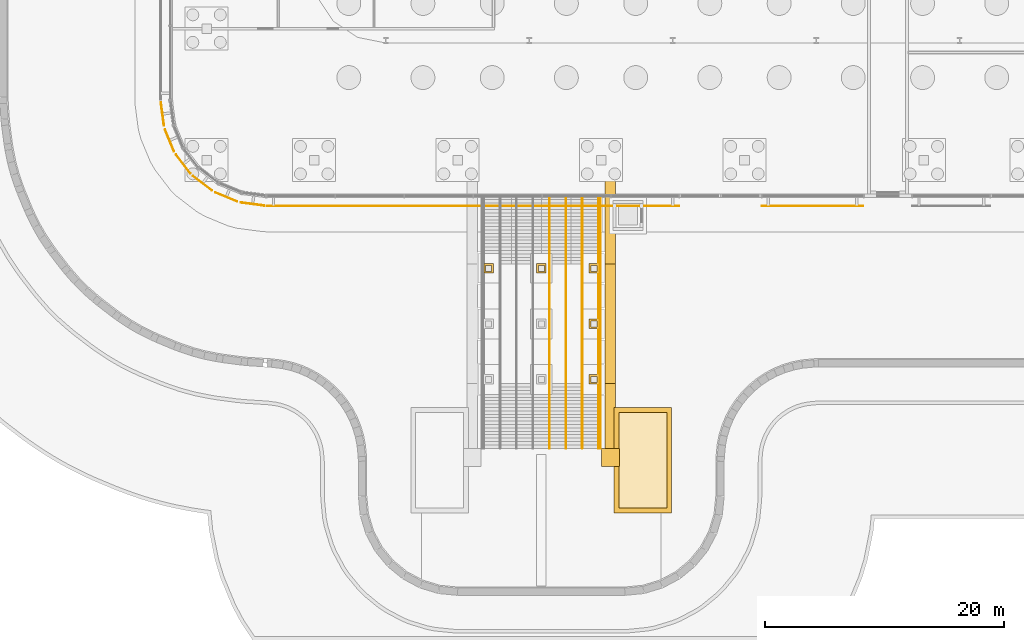
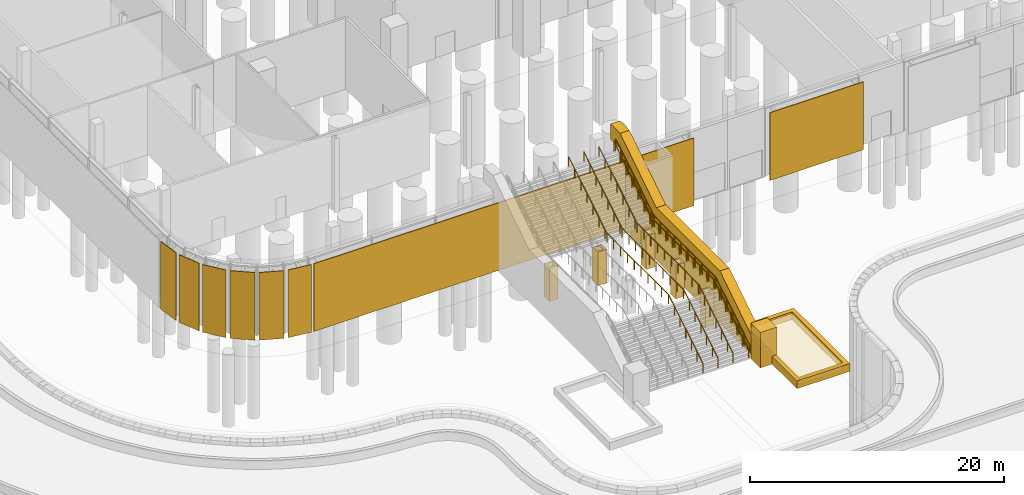
# One storey, part 37 of 48: 17 coverings, 5 railings, 1 element without a shape of its own.
"""IFC4 building model written with IfcOpenShell, lengths in metres."""

from ifc_helpers import new_model, si_unit, direction, frame, origin, origin_2d, place, context, subcontext, project, spatial, polyline, rectangle, circle, outline, extrude, material, layer, layer_set, type_object, element, aggregate, save


model = new_model("IFC4")

# Units and contexts
model_context = context("Model", 3, precision=1e-05, world=origin(), true_north=direction((0.0, 1.0)))
body_context = subcontext(model_context, "Body", "Model", "MODEL_VIEW")
ifc_project = project(units=[si_unit("LENGTHUNIT", "METRE"), si_unit("AREAUNIT", "SQUARE_METRE"), si_unit("VOLUMEUNIT", "CUBIC_METRE"), si_unit("PLANEANGLEUNIT", "RADIAN"), si_unit("MASSUNIT", "GRAM", prefix="KILO")], contexts=[model_context])

# Site, building, storey
site_placement = place(None, origin())
site = spatial("IfcSite", under=ifc_project, at=site_placement, CompositionType="ELEMENT")
building_placement = place(site_placement, origin())
building = spatial("IfcBuilding", under=site, at=building_placement, Name="Mahtab Terrace Research Tower", CompositionType="ELEMENT")
storey_placement = place(building_placement, origin())
storey = spatial("IfcBuildingStorey", under=building, at=storey_placement, Name="G", CompositionType="ELEMENT", Elevation=0.0)

# Coverings
ifc_material_1 = material(Name="Glazed ceramic tile cladding", Category="masonry")
ifc_layer_1 = layer(ifc_material_1, 0.14990234375)
ifc_layer_set_1 = layer_set([ifc_layer_1], Name="Column sleeve cladding 150")
covering_type_1 = type_object("IfcCoveringType", Name="Column sleeve cladding 150", PredefinedType="CLADDING", material=ifc_layer_set_1)
covering_1_placement = place(storey_placement, origin())
element("IfcCovering", 1, at=covering_1_placement, inside=storey, type_object=covering_type_1, Name="Column sleeve PS1-1-3", PredefinedType="CLADDING", context=body_context, shape_type="SweptSolid", body=[
    extrude(outline(polyline([(-33.800048828125, -42.449951171875), (-33.0, -42.449951171875), (-33.0, -41.64990234375), (-33.800048828125, -41.64990234375), (-33.800048828125, -42.449951171875)]), holes=[polyline([(-33.64990234375, -42.300048828125), (-33.14990234375, -42.300048828125), (-33.14990234375, -41.800048828125), (-33.64990234375, -41.800048828125), (-33.64990234375, -42.300048828125)])]), origin(), (0.0, 0.0, 1.0), 3.2119140625),
])
covering_2_placement = place(storey_placement, origin())
element("IfcCovering", 2, at=covering_2_placement, inside=storey, type_object=covering_type_1, Name="Column sleeve PS1-2-3", PredefinedType="CLADDING", context=body_context, shape_type="SweptSolid", body=[
    extrude(outline(polyline([(-29.39990234375, -42.449951171875), (-28.60009765625, -42.449951171875), (-28.60009765625, -41.64990234375), (-29.39990234375, -41.64990234375), (-29.39990234375, -42.449951171875)]), holes=[polyline([(-29.25, -42.300048828125), (-28.75, -42.300048828125), (-28.75, -41.800048828125), (-29.25, -41.800048828125), (-29.25, -42.300048828125)])]), origin(), (0.0, 0.0, 1.0), 3.2119140625),
])
covering_3_placement = place(storey_placement, origin())
element("IfcCovering", 3, at=covering_3_placement, inside=storey, type_object=covering_type_1, Name="Column sleeve PS1-3-1", PredefinedType="CLADDING", context=body_context, shape_type="SweptSolid", body=[
    extrude(outline(polyline([(-25.0, -51.75), (-24.199951171875, -51.75), (-24.199951171875, -50.949951171875), (-25.0, -50.949951171875), (-25.0, -51.75)]), holes=[polyline([(-24.85009765625, -51.60009765625), (-24.35009765625, -51.60009765625), (-24.35009765625, -51.10009765625), (-24.85009765625, -51.10009765625), (-24.85009765625, -51.60009765625)])]), origin(), (0.0, 0.0, 1.0), 3.2119140625),
])
covering_4_placement = place(storey_placement, origin())
element("IfcCovering", 4, at=covering_4_placement, inside=storey, type_object=covering_type_1, Name="Column sleeve PS1-3-2", PredefinedType="CLADDING", context=body_context, shape_type="SweptSolid", body=[
    extrude(outline(polyline([(-25.0, -47.10009765625), (-24.199951171875, -47.10009765625), (-24.199951171875, -46.300048828125), (-25.0, -46.300048828125), (-25.0, -47.10009765625)]), holes=[polyline([(-24.85009765625, -46.949951171875), (-24.35009765625, -46.949951171875), (-24.35009765625, -46.449951171875), (-24.85009765625, -46.449951171875), (-24.85009765625, -46.949951171875)])]), origin(), (0.0, 0.0, 1.0), 3.2119140625),
])
covering_5_placement = place(storey_placement, origin())
element("IfcCovering", 5, at=covering_5_placement, inside=storey, type_object=covering_type_1, Name="Column sleeve PS1-3-3", PredefinedType="CLADDING", context=body_context, shape_type="SweptSolid", body=[
    extrude(outline(polyline([(-25.0, -42.449951171875), (-24.199951171875, -42.449951171875), (-24.199951171875, -41.64990234375), (-25.0, -41.64990234375), (-25.0, -42.449951171875)]), holes=[polyline([(-24.85009765625, -42.300048828125), (-24.35009765625, -42.300048828125), (-24.35009765625, -41.800048828125), (-24.85009765625, -41.800048828125), (-24.85009765625, -42.300048828125)])]), origin(), (0.0, 0.0, 1.0), 3.2119140625),
])
ifc_material_2 = material(Name="Bronze anodised aluminium", Category="aluminium")
ifc_layer_2 = layer(ifc_material_2, 0.06005859375)
ifc_layer_set_2 = layer_set([ifc_layer_2], Name="Ground facade girih screen panel")
covering_type_2 = type_object("IfcCoveringType", Name="Ground facade girih screen panel", PredefinedType="CLADDING", material=ifc_layer_set_2)
covering_6_placement = place(storey_placement, frame((-60.686279296875, -29.14404296875, 0.10009765625), z_axis=(0.0, 0.0, 1.0), x_axis=(0.130689793992, -0.991423309059, 0.0)))
element("IfcCovering", 6, at=covering_6_placement, inside=storey, type_object=covering_type_2, Name="Girih screen ground W1", PredefinedType="CLADDING", context=body_context, shape_type="SweptSolid", body=[
    extrude(rectangle(XDim=1.989013671875, YDim=0.06005859375, at=origin_2d()), origin(), (0.0, 0.0, 1.0), 6.5),
])
covering_7_placement = place(storey_placement, frame((-60.09423828125, -31.35302734375, 0.10009765625), z_axis=(0.0, 0.0, 1.0), x_axis=(0.382676089485, -0.923882573998, 0.0)))
element("IfcCovering", 7, at=covering_7_placement, inside=storey, type_object=covering_type_2, Name="Girih screen ground W1", PredefinedType="CLADDING", context=body_context, shape_type="SweptSolid", body=[
    extrude(rectangle(XDim=1.988037109375, YDim=0.06005859375, at=origin_2d()), origin(), (0.0, 0.0, 1.0), 6.5),
])
for number, where, z_axis, x_axis, name in (
    (8, (-58.951171875, -33.333740234375, 0.10009765625), (0.0, 0.0, 1.0), (0.60862253119, -0.793459901021, 0.0), "Girih screen ground W1"),
    (9, (-57.333740234375, -34.951171875, 0.10009765625), (0.0, 0.0, 1.0), (0.793459901021, -0.60862253119, 0.0), "Girih screen ground S1"),
):
    element("IfcCovering", number, at=place(storey_placement, frame(where, z_axis=z_axis, x_axis=x_axis)), inside=storey, type_object=covering_type_2, Name=name, PredefinedType="CLADDING", context=body_context, shape_type="SweptSolid", body=[
        extrude(rectangle(XDim=1.98828125, YDim=0.06005859375, at=origin_2d()), origin(), (0.0, 0.0, 1.0), 6.5),
    ])
covering_8_placement = place(storey_placement, frame((-55.35302734375, -36.09423828125, 0.10009765625), z_axis=(0.0, 0.0, 1.0), x_axis=(0.923882573998, -0.382676089485, 0.0)))
element("IfcCovering", 10, at=covering_8_placement, inside=storey, type_object=covering_type_2, Name="Girih screen ground S1", PredefinedType="CLADDING", context=body_context, shape_type="SweptSolid", body=[
    extrude(rectangle(XDim=1.988037109375, YDim=0.06005859375, at=origin_2d()), origin(), (0.0, 0.0, 1.0), 6.5),
])
covering_9_placement = place(storey_placement, frame((-53.14404296875, -36.686279296875, 0.10009765625), z_axis=(0.0, 0.0, 1.0), x_axis=(0.991423309059, -0.130689793992, 0.0)))
element("IfcCovering", 11, at=covering_9_placement, inside=storey, type_object=covering_type_2, Name="Girih screen ground S1", PredefinedType="CLADDING", context=body_context, shape_type="SweptSolid", body=[
    extrude(rectangle(XDim=1.989013671875, YDim=0.06005859375, at=origin_2d()), origin(), (0.0, 0.0, 1.0), 6.5),
])
covering_10_placement = place(storey_placement, frame((-34.699951171875, -36.830078125, 0.10009765625), z_axis=(0.0, 0.0, 1.0), x_axis=(1.0, 0.0, 0.0)))
element("IfcCovering", 12, at=covering_10_placement, inside=storey, type_object=covering_type_2, Name="Girih screen ground S1", PredefinedType="CLADDING", context=body_context, shape_type="SweptSolid", body=[
    extrude(rectangle(XDim=34.5, YDim=0.06005859375, at=origin_2d()), origin(), (0.0, 0.0, 1.0), 6.5),
])
covering_11_placement = place(storey_placement, frame((-6.300048828125, -36.830078125, 0.10009765625), z_axis=(0.0, 0.0, 1.0), x_axis=(1.0, 0.0, 0.0)))
element("IfcCovering", 13, at=covering_11_placement, inside=storey, type_object=covering_type_2, Name="Girih screen ground S4", PredefinedType="CLADDING", context=body_context, shape_type="SweptSolid", body=[
    extrude(rectangle(XDim=8.5, YDim=0.06005859375, at=origin_2d()), origin(), (0.0, 0.0, 1.0), 6.5),
])
ifc_material_3 = material(Name="Planting soil and shrubs")
ifc_layer_3 = layer(ifc_material_3, 0.1201171875)
ifc_layer_set_3 = layer_set([ifc_layer_3], Name="Planter")
covering_type_3 = type_object("IfcCoveringType", Name="Planter", PredefinedType="USERDEFINED", material=ifc_layer_set_3)
covering_12_placement = place(storey_placement, frame((-20.5, -58.114990234375, -0.010009765625), z_axis=(0.0, 0.0, 1.0), x_axis=(1.0, 0.0, 0.0)))
element("IfcCovering", 14, at=covering_12_placement, inside=storey, type_object=covering_type_3, Name="PLANTER forecourt", ObjectType="PLANTER", PredefinedType="USERDEFINED", context=body_context, shape_type="SweptSolid", body=[
    extrude(rectangle(XDim=4.0, YDim=8.0, at=origin_2d()), origin(), (0.0, 0.0, 1.0), 0.60009765625),
])
ifc_material_4 = material(Name="Precast concrete C40/50", Category="concrete")
ifc_layer_4 = layer(ifc_material_4, 0.199951171875)
ifc_layer_set_4 = layer_set([ifc_layer_4], Name="Precast coping 400")
covering_type_4 = type_object("IfcCoveringType", Name="Precast coping 400", PredefinedType="MOLDING", material=ifc_layer_set_4)
covering_13_placement = place(storey_placement, frame((0.0, 0.0, -0.010009765625)))
element("IfcCovering", 15, at=covering_13_placement, inside=storey, type_object=covering_type_4, Name="Planter bed coping", PredefinedType="CLADDING", context=body_context, shape_type="SweptSolid", body=[
    extrude(outline(polyline([(-22.89990234375, -62.514892578125), (-22.89990234375, -53.715087890625), (-18.10009765625, -53.715087890625), (-18.10009765625, -62.514892578125), (-22.89990234375, -62.514892578125)]), holes=[polyline([(-18.5, -54.114990234375), (-22.5, -54.114990234375), (-22.5, -62.114990234375), (-18.5, -62.114990234375), (-18.5, -54.114990234375)])]), origin(), (0.0, 0.0, 1.0), 0.75),
])
ifc_layer_5 = layer(ifc_material_1, 0.85009765625)
ifc_layer_set_5 = layer_set([ifc_layer_5], Name="Stair cheek cladding 850")
covering_type_5 = type_object("IfcCoveringType", Name="Stair cheek cladding 850", PredefinedType="CLADDING", material=ifc_layer_set_5)
covering_14_placement = place(storey_placement, frame((-23.64990234375, -57.114990234375, 0.0), z_axis=(-1.0, 0.0, 0.0), x_axis=(0.0, 0.0, 1.0)))
element("IfcCovering", 16, at=covering_14_placement, inside=storey, type_object=covering_type_5, Name="Stair cheek PS1E", PredefinedType="CLADDING", context=body_context, shape_type="SweptSolid", body=[
    extrude(outline(polyline([(0.0, 0.0), (1.5, 0.0), (5.011962890625, 5.4150390625), (5.011962890625, 15.4150390625), (8.699951171875, 21.114990234375), (8.699951171875, 22.614990234375), (7.22998046875, 22.614990234375), (7.22998046875, 21.114990234375), (0.0, 21.114990234375), (0.0, 0.0)])), origin(), (0.0, 0.0, -1.0), 0.85009765625),
])
covering_15_placement = place(storey_placement, frame((-23.22509765625, -57.864990234375, 0.0), z_axis=(0.0, 0.0, 1.0), x_axis=(1.0, 0.0, 0.0)))
element("IfcCovering", 17, at=covering_15_placement, inside=storey, type_object=covering_type_5, Name="Stair foot pier PS1E", PredefinedType="CLADDING", context=body_context, shape_type="SweptSolid", body=[
    extrude(rectangle(XDim=1.5, YDim=1.5, at=origin_2d()), origin(), (0.0, 0.0, 1.0), 3.39990234375),
])

# Stair, railings
ifc_material_5 = material(Name="Public deck stair")
stair_type = type_object("IfcStairType", Name="Public deck stair", PredefinedType="STRAIGHT_RUN_STAIR", material=ifc_material_5)
stair_placement = place(storey_placement, origin())
stair = element("IfcStair", 18, at=stair_placement, inside=storey, type_object=stair_type, Name="Public deck stair PS1", PredefinedType="STRAIGHT_RUN_STAIR")
ifc_material_6 = material(Name="Stainless steel AISI 304", Category="steel")
railing_type_1 = type_object("IfcRailingType", Name="Stair guard 1100", PredefinedType="GUARDRAIL", material=ifc_material_6)
railing_1_placement = place(storey_placement, frame((-24.050048828125, -57.114990234375, 0.175537109375)))
railing_1 = element("IfcRailing", 19, at=railing_1_placement, type_object=railing_type_1, Name="PS1 stair guard 2", PredefinedType="GUARDRAIL", context=body_context, shape_type="SweptSolid", body=[
    extrude(circle(Radius=0.02392578125, at=origin_2d()), frame((0.0, 0.0, 1.076171875), z_axis=(0.0, 0.851353738044, 0.524592044087), x_axis=(-1.0, 0.0, 0.0)), (0.0, 0.0, 1.0), 6.360595703125),
    extrude(circle(Radius=0.02392578125, at=origin_2d()), frame((0.0, 5.4150390625, 4.41259765625), z_axis=(0.0, 1.0, 0.0), x_axis=(-1.0, 0.0, 0.0)), (0.0, 0.0, 1.0), 9.699951171875),
    extrude(circle(Radius=0.02392578125, at=origin_2d()), frame((0.0, 15.114990234375, 4.41259765625), z_axis=(0.0, 0.863141399684, 0.504962299734), x_axis=(-1.0, 0.0, 0.0)), (0.0, 0.0, 1.0), 0.34765625),
    extrude(circle(Radius=0.02392578125, at=origin_2d()), frame((0.0, 15.4150390625, 4.58837890625), z_axis=(0.0, 0.851355183799, 0.524589697782), x_axis=(-1.0, 0.0, 0.0)), (0.0, 0.0, 1.0), 6.695068359375),
    extrude(circle(Radius=0.02099609375, at=origin_2d()), origin(), (0.0, 0.0, 1.0), 1.052001953125),
    extrude(circle(Radius=0.02099609375, at=origin_2d()), frame((0.0, 0.902587890625, 0.55615234375)), (0.0, 0.0, 1.0), 1.052001953125),
    extrude(circle(Radius=0.02099609375, at=origin_2d()), frame((0.0, 1.804931640625, 1.1123046875)), (0.0, 0.0, 1.0), 1.052001953125),
    extrude(circle(Radius=0.02099609375, at=origin_2d()), frame((0.0, 2.70751953125, 1.66845703125)), (0.0, 0.0, 1.0), 1.052001953125),
    extrude(circle(Radius=0.02099609375, at=origin_2d()), frame((0.0, 3.610107421875, 2.224365234375)), (0.0, 0.0, 1.0), 1.052001953125),
    extrude(circle(Radius=0.02099609375, at=origin_2d()), frame((0.0, 4.512451171875, 2.780517578125)), (0.0, 0.0, 1.0), 1.052001953125),
    extrude(circle(Radius=0.02099609375, at=origin_2d()), frame((0.0, 5.4150390625, 3.336669921875)), (0.0, 0.0, 1.0), 1.052001953125),
    extrude(circle(Radius=0.02099609375, at=origin_2d()), frame((0.0, 6.492919921875, 3.336669921875)), (0.0, 0.0, 1.0), 1.052001953125),
    extrude(circle(Radius=0.02099609375, at=origin_2d()), frame((0.0, 7.570556640625, 3.336669921875)), (0.0, 0.0, 1.0), 1.052001953125),
    extrude(circle(Radius=0.02099609375, at=origin_2d()), frame((0.0, 8.6484375, 3.336669921875)), (0.0, 0.0, 1.0), 1.052001953125),
    extrude(circle(Radius=0.02099609375, at=origin_2d()), frame((0.0, 9.72607421875, 3.336669921875)), (0.0, 0.0, 1.0), 1.052001953125),
    extrude(circle(Radius=0.02099609375, at=origin_2d()), frame((0.0, 10.803955078125, 3.336669921875)), (0.0, 0.0, 1.0), 1.052001953125),
    extrude(circle(Radius=0.02099609375, at=origin_2d()), frame((0.0, 11.881591796875, 3.336669921875)), (0.0, 0.0, 1.0), 1.052001953125),
    extrude(circle(Radius=0.02099609375, at=origin_2d()), frame((0.0, 12.95947265625, 3.336669921875)), (0.0, 0.0, 1.0), 1.052001953125),
    extrude(circle(Radius=0.02099609375, at=origin_2d()), frame((0.0, 14.037109375, 3.336669921875)), (0.0, 0.0, 1.0), 1.052001953125),
    extrude(circle(Radius=0.02099609375, at=origin_2d()), frame((0.0, 15.114990234375, 3.336669921875)), (0.0, 0.0, 1.0), 1.052001953125),
    extrude(circle(Radius=0.02099609375, at=origin_2d()), frame((0.0, 15.4150390625, 3.51220703125)), (0.0, 0.0, 1.0), 1.052001953125),
    extrude(circle(Radius=0.02099609375, at=origin_2d()), frame((0.0, 16.364990234375, 4.09765625)), (0.0, 0.0, 1.0), 1.052001953125),
    extrude(circle(Radius=0.02099609375, at=origin_2d()), frame((0.0, 17.31494140625, 4.682861328125)), (0.0, 0.0, 1.0), 1.052001953125),
    extrude(circle(Radius=0.02099609375, at=origin_2d()), frame((0.0, 18.26513671875, 5.268310546875)), (0.0, 0.0, 1.0), 1.052001953125),
    extrude(circle(Radius=0.02099609375, at=origin_2d()), frame((0.0, 19.215087890625, 5.853759765625)), (0.0, 0.0, 1.0), 1.052001953125),
    extrude(circle(Radius=0.02099609375, at=origin_2d()), frame((0.0, 20.1650390625, 6.43896484375)), (0.0, 0.0, 1.0), 1.052001953125),
    extrude(circle(Radius=0.02099609375, at=origin_2d()), frame((0.0, 21.114990234375, 7.0244140625)), (0.0, 0.0, 1.0), 1.052001953125),
])
railing_type_2 = type_object("IfcRailingType", Name="Stair handrail 900", PredefinedType="HANDRAIL", material=ifc_material_6)
railing_2_placement = place(storey_placement, frame((-28.314208984375, -57.114990234375, 0.175537109375)))
railing_2 = element("IfcRailing", 20, at=railing_2_placement, type_object=railing_type_2, Name="PS1 stair handrail 7", PredefinedType="HANDRAIL", context=body_context, shape_type="SweptSolid", body=[
    extrude(circle(Radius=0.02392578125, at=origin_2d()), frame((0.0, 0.0, 0.8759765625), z_axis=(0.0, 0.851353738044, 0.524592044087), x_axis=(-1.0, 0.0, 0.0)), (0.0, 0.0, 1.0), 6.360595703125),
    extrude(circle(Radius=0.02392578125, at=origin_2d()), frame((0.0, 5.4150390625, 4.21240234375), z_axis=(0.0, 1.0, 0.0), x_axis=(-1.0, 0.0, 0.0)), (0.0, 0.0, 1.0), 9.699951171875),
    extrude(circle(Radius=0.02392578125, at=origin_2d()), frame((0.0, 15.114990234375, 4.21240234375), z_axis=(0.0, 0.863141399684, 0.504962299734), x_axis=(-1.0, 0.0, 0.0)), (0.0, 0.0, 1.0), 0.34765625),
    extrude(circle(Radius=0.02392578125, at=origin_2d()), frame((0.0, 15.4150390625, 4.38818359375), z_axis=(0.0, 0.851355183799, 0.524589697782), x_axis=(-1.0, 0.0, 0.0)), (0.0, 0.0, 1.0), 6.695068359375),
    extrude(circle(Radius=0.02099609375, at=origin_2d()), origin(), (0.0, 0.0, 1.0), 0.851806640625),
    extrude(circle(Radius=0.02099609375, at=origin_2d()), frame((0.0, 0.902587890625, 0.55615234375)), (0.0, 0.0, 1.0), 0.851806640625),
    extrude(circle(Radius=0.02099609375, at=origin_2d()), frame((0.0, 1.804931640625, 1.1123046875)), (0.0, 0.0, 1.0), 0.851806640625),
    extrude(circle(Radius=0.02099609375, at=origin_2d()), frame((0.0, 2.70751953125, 1.66845703125)), (0.0, 0.0, 1.0), 0.851806640625),
    extrude(circle(Radius=0.02099609375, at=origin_2d()), frame((0.0, 3.610107421875, 2.224365234375)), (0.0, 0.0, 1.0), 0.851806640625),
    extrude(circle(Radius=0.02099609375, at=origin_2d()), frame((0.0, 4.512451171875, 2.780517578125)), (0.0, 0.0, 1.0), 0.851806640625),
    extrude(circle(Radius=0.02099609375, at=origin_2d()), frame((0.0, 5.4150390625, 3.336669921875)), (0.0, 0.0, 1.0), 0.851806640625),
    extrude(circle(Radius=0.02099609375, at=origin_2d()), frame((0.0, 6.492919921875, 3.336669921875)), (0.0, 0.0, 1.0), 0.851806640625),
    extrude(circle(Radius=0.02099609375, at=origin_2d()), frame((0.0, 7.570556640625, 3.336669921875)), (0.0, 0.0, 1.0), 0.851806640625),
    extrude(circle(Radius=0.02099609375, at=origin_2d()), frame((0.0, 8.6484375, 3.336669921875)), (0.0, 0.0, 1.0), 0.851806640625),
    extrude(circle(Radius=0.02099609375, at=origin_2d()), frame((0.0, 9.72607421875, 3.336669921875)), (0.0, 0.0, 1.0), 0.851806640625),
    extrude(circle(Radius=0.02099609375, at=origin_2d()), frame((0.0, 10.803955078125, 3.336669921875)), (0.0, 0.0, 1.0), 0.851806640625),
    extrude(circle(Radius=0.02099609375, at=origin_2d()), frame((0.0, 11.881591796875, 3.336669921875)), (0.0, 0.0, 1.0), 0.851806640625),
    extrude(circle(Radius=0.02099609375, at=origin_2d()), frame((0.0, 12.95947265625, 3.336669921875)), (0.0, 0.0, 1.0), 0.851806640625),
    extrude(circle(Radius=0.02099609375, at=origin_2d()), frame((0.0, 14.037109375, 3.336669921875)), (0.0, 0.0, 1.0), 0.851806640625),
    extrude(circle(Radius=0.02099609375, at=origin_2d()), frame((0.0, 15.114990234375, 3.336669921875)), (0.0, 0.0, 1.0), 0.851806640625),
    extrude(circle(Radius=0.02099609375, at=origin_2d()), frame((0.0, 15.4150390625, 3.51220703125)), (0.0, 0.0, 1.0), 0.851806640625),
    extrude(circle(Radius=0.02099609375, at=origin_2d()), frame((0.0, 16.364990234375, 4.09765625)), (0.0, 0.0, 1.0), 0.851806640625),
    extrude(circle(Radius=0.02099609375, at=origin_2d()), frame((0.0, 17.31494140625, 4.682861328125)), (0.0, 0.0, 1.0), 0.851806640625),
    extrude(circle(Radius=0.02099609375, at=origin_2d()), frame((0.0, 18.26513671875, 5.268310546875)), (0.0, 0.0, 1.0), 0.851806640625),
    extrude(circle(Radius=0.02099609375, at=origin_2d()), frame((0.0, 19.215087890625, 5.853759765625)), (0.0, 0.0, 1.0), 0.851806640625),
    extrude(circle(Radius=0.02099609375, at=origin_2d()), frame((0.0, 20.1650390625, 6.43896484375)), (0.0, 0.0, 1.0), 0.851806640625),
    extrude(circle(Radius=0.02099609375, at=origin_2d()), frame((0.0, 21.114990234375, 7.0244140625)), (0.0, 0.0, 1.0), 0.851806640625),
])
railing_3_placement = place(storey_placement, frame((-26.94287109375, -57.114990234375, 0.175537109375)))
railing_3 = element("IfcRailing", 21, at=railing_3_placement, type_object=railing_type_2, Name="PS1 stair handrail 8", PredefinedType="HANDRAIL", context=body_context, shape_type="SweptSolid", body=[
    extrude(circle(Radius=0.02392578125, at=origin_2d()), frame((0.0, 0.0, 0.8759765625), z_axis=(0.0, 0.851353738044, 0.524592044087), x_axis=(-1.0, 0.0, 0.0)), (0.0, 0.0, 1.0), 6.360595703125),
    extrude(circle(Radius=0.02392578125, at=origin_2d()), frame((0.0, 5.4150390625, 4.21240234375), z_axis=(0.0, 1.0, 0.0), x_axis=(-1.0, 0.0, 0.0)), (0.0, 0.0, 1.0), 9.699951171875),
    extrude(circle(Radius=0.02392578125, at=origin_2d()), frame((0.0, 15.114990234375, 4.21240234375), z_axis=(0.0, 0.863141399684, 0.504962299734), x_axis=(-1.0, 0.0, 0.0)), (0.0, 0.0, 1.0), 0.34765625),
    extrude(circle(Radius=0.02392578125, at=origin_2d()), frame((0.0, 15.4150390625, 4.38818359375), z_axis=(0.0, 0.851355183799, 0.524589697782), x_axis=(-1.0, 0.0, 0.0)), (0.0, 0.0, 1.0), 6.695068359375),
    extrude(circle(Radius=0.02099609375, at=origin_2d()), origin(), (0.0, 0.0, 1.0), 0.851806640625),
    extrude(circle(Radius=0.02099609375, at=origin_2d()), frame((0.0, 0.902587890625, 0.55615234375)), (0.0, 0.0, 1.0), 0.851806640625),
    extrude(circle(Radius=0.02099609375, at=origin_2d()), frame((0.0, 1.804931640625, 1.1123046875)), (0.0, 0.0, 1.0), 0.851806640625),
    extrude(circle(Radius=0.02099609375, at=origin_2d()), frame((0.0, 2.70751953125, 1.66845703125)), (0.0, 0.0, 1.0), 0.851806640625),
    extrude(circle(Radius=0.02099609375, at=origin_2d()), frame((0.0, 3.610107421875, 2.224365234375)), (0.0, 0.0, 1.0), 0.851806640625),
    extrude(circle(Radius=0.02099609375, at=origin_2d()), frame((0.0, 4.512451171875, 2.780517578125)), (0.0, 0.0, 1.0), 0.851806640625),
    extrude(circle(Radius=0.02099609375, at=origin_2d()), frame((0.0, 5.4150390625, 3.336669921875)), (0.0, 0.0, 1.0), 0.851806640625),
    extrude(circle(Radius=0.02099609375, at=origin_2d()), frame((0.0, 6.492919921875, 3.336669921875)), (0.0, 0.0, 1.0), 0.851806640625),
    extrude(circle(Radius=0.02099609375, at=origin_2d()), frame((0.0, 7.570556640625, 3.336669921875)), (0.0, 0.0, 1.0), 0.851806640625),
    extrude(circle(Radius=0.02099609375, at=origin_2d()), frame((0.0, 8.6484375, 3.336669921875)), (0.0, 0.0, 1.0), 0.851806640625),
    extrude(circle(Radius=0.02099609375, at=origin_2d()), frame((0.0, 9.72607421875, 3.336669921875)), (0.0, 0.0, 1.0), 0.851806640625),
    extrude(circle(Radius=0.02099609375, at=origin_2d()), frame((0.0, 10.803955078125, 3.336669921875)), (0.0, 0.0, 1.0), 0.851806640625),
    extrude(circle(Radius=0.02099609375, at=origin_2d()), frame((0.0, 11.881591796875, 3.336669921875)), (0.0, 0.0, 1.0), 0.851806640625),
    extrude(circle(Radius=0.02099609375, at=origin_2d()), frame((0.0, 12.95947265625, 3.336669921875)), (0.0, 0.0, 1.0), 0.851806640625),
    extrude(circle(Radius=0.02099609375, at=origin_2d()), frame((0.0, 14.037109375, 3.336669921875)), (0.0, 0.0, 1.0), 0.851806640625),
    extrude(circle(Radius=0.02099609375, at=origin_2d()), frame((0.0, 15.114990234375, 3.336669921875)), (0.0, 0.0, 1.0), 0.851806640625),
    extrude(circle(Radius=0.02099609375, at=origin_2d()), frame((0.0, 15.4150390625, 3.51220703125)), (0.0, 0.0, 1.0), 0.851806640625),
    extrude(circle(Radius=0.02099609375, at=origin_2d()), frame((0.0, 16.364990234375, 4.09765625)), (0.0, 0.0, 1.0), 0.851806640625),
    extrude(circle(Radius=0.02099609375, at=origin_2d()), frame((0.0, 17.31494140625, 4.682861328125)), (0.0, 0.0, 1.0), 0.851806640625),
    extrude(circle(Radius=0.02099609375, at=origin_2d()), frame((0.0, 18.26513671875, 5.268310546875)), (0.0, 0.0, 1.0), 0.851806640625),
    extrude(circle(Radius=0.02099609375, at=origin_2d()), frame((0.0, 19.215087890625, 5.853759765625)), (0.0, 0.0, 1.0), 0.851806640625),
    extrude(circle(Radius=0.02099609375, at=origin_2d()), frame((0.0, 20.1650390625, 6.43896484375)), (0.0, 0.0, 1.0), 0.851806640625),
    extrude(circle(Radius=0.02099609375, at=origin_2d()), frame((0.0, 21.114990234375, 7.0244140625)), (0.0, 0.0, 1.0), 0.851806640625),
])
railing_4_placement = place(storey_placement, frame((-25.5712890625, -57.114990234375, 0.175537109375)))
railing_4 = element("IfcRailing", 22, at=railing_4_placement, type_object=railing_type_2, Name="PS1 stair handrail 9", PredefinedType="HANDRAIL", context=body_context, shape_type="SweptSolid", body=[
    extrude(circle(Radius=0.02392578125, at=origin_2d()), frame((0.0, 0.0, 0.8759765625), z_axis=(0.0, 0.851353738044, 0.524592044087), x_axis=(-1.0, 0.0, 0.0)), (0.0, 0.0, 1.0), 6.360595703125),
    extrude(circle(Radius=0.02392578125, at=origin_2d()), frame((0.0, 5.4150390625, 4.21240234375), z_axis=(0.0, 1.0, 0.0), x_axis=(-1.0, 0.0, 0.0)), (0.0, 0.0, 1.0), 9.699951171875),
    extrude(circle(Radius=0.02392578125, at=origin_2d()), frame((0.0, 15.114990234375, 4.21240234375), z_axis=(0.0, 0.863141399684, 0.504962299734), x_axis=(-1.0, 0.0, 0.0)), (0.0, 0.0, 1.0), 0.34765625),
    extrude(circle(Radius=0.02392578125, at=origin_2d()), frame((0.0, 15.4150390625, 4.38818359375), z_axis=(0.0, 0.851355183799, 0.524589697782), x_axis=(-1.0, 0.0, 0.0)), (0.0, 0.0, 1.0), 6.695068359375),
    extrude(circle(Radius=0.02099609375, at=origin_2d()), origin(), (0.0, 0.0, 1.0), 0.851806640625),
    extrude(circle(Radius=0.02099609375, at=origin_2d()), frame((0.0, 0.902587890625, 0.55615234375)), (0.0, 0.0, 1.0), 0.851806640625),
    extrude(circle(Radius=0.02099609375, at=origin_2d()), frame((0.0, 1.804931640625, 1.1123046875)), (0.0, 0.0, 1.0), 0.851806640625),
    extrude(circle(Radius=0.02099609375, at=origin_2d()), frame((0.0, 2.70751953125, 1.66845703125)), (0.0, 0.0, 1.0), 0.851806640625),
    extrude(circle(Radius=0.02099609375, at=origin_2d()), frame((0.0, 3.610107421875, 2.224365234375)), (0.0, 0.0, 1.0), 0.851806640625),
    extrude(circle(Radius=0.02099609375, at=origin_2d()), frame((0.0, 4.512451171875, 2.780517578125)), (0.0, 0.0, 1.0), 0.851806640625),
    extrude(circle(Radius=0.02099609375, at=origin_2d()), frame((0.0, 5.4150390625, 3.336669921875)), (0.0, 0.0, 1.0), 0.851806640625),
    extrude(circle(Radius=0.02099609375, at=origin_2d()), frame((0.0, 6.492919921875, 3.336669921875)), (0.0, 0.0, 1.0), 0.851806640625),
    extrude(circle(Radius=0.02099609375, at=origin_2d()), frame((0.0, 7.570556640625, 3.336669921875)), (0.0, 0.0, 1.0), 0.851806640625),
    extrude(circle(Radius=0.02099609375, at=origin_2d()), frame((0.0, 8.6484375, 3.336669921875)), (0.0, 0.0, 1.0), 0.851806640625),
    extrude(circle(Radius=0.02099609375, at=origin_2d()), frame((0.0, 9.72607421875, 3.336669921875)), (0.0, 0.0, 1.0), 0.851806640625),
    extrude(circle(Radius=0.02099609375, at=origin_2d()), frame((0.0, 10.803955078125, 3.336669921875)), (0.0, 0.0, 1.0), 0.851806640625),
    extrude(circle(Radius=0.02099609375, at=origin_2d()), frame((0.0, 11.881591796875, 3.336669921875)), (0.0, 0.0, 1.0), 0.851806640625),
    extrude(circle(Radius=0.02099609375, at=origin_2d()), frame((0.0, 12.95947265625, 3.336669921875)), (0.0, 0.0, 1.0), 0.851806640625),
    extrude(circle(Radius=0.02099609375, at=origin_2d()), frame((0.0, 14.037109375, 3.336669921875)), (0.0, 0.0, 1.0), 0.851806640625),
    extrude(circle(Radius=0.02099609375, at=origin_2d()), frame((0.0, 15.114990234375, 3.336669921875)), (0.0, 0.0, 1.0), 0.851806640625),
    extrude(circle(Radius=0.02099609375, at=origin_2d()), frame((0.0, 15.4150390625, 3.51220703125)), (0.0, 0.0, 1.0), 0.851806640625),
    extrude(circle(Radius=0.02099609375, at=origin_2d()), frame((0.0, 16.364990234375, 4.09765625)), (0.0, 0.0, 1.0), 0.851806640625),
    extrude(circle(Radius=0.02099609375, at=origin_2d()), frame((0.0, 17.31494140625, 4.682861328125)), (0.0, 0.0, 1.0), 0.851806640625),
    extrude(circle(Radius=0.02099609375, at=origin_2d()), frame((0.0, 18.26513671875, 5.268310546875)), (0.0, 0.0, 1.0), 0.851806640625),
    extrude(circle(Radius=0.02099609375, at=origin_2d()), frame((0.0, 19.215087890625, 5.853759765625)), (0.0, 0.0, 1.0), 0.851806640625),
    extrude(circle(Radius=0.02099609375, at=origin_2d()), frame((0.0, 20.1650390625, 6.43896484375)), (0.0, 0.0, 1.0), 0.851806640625),
    extrude(circle(Radius=0.02099609375, at=origin_2d()), frame((0.0, 21.114990234375, 7.0244140625)), (0.0, 0.0, 1.0), 0.851806640625),
])
railing_5_placement = place(storey_placement, frame((-24.199951171875, -57.114990234375, 0.175537109375)))
railing_5 = element("IfcRailing", 23, at=railing_5_placement, type_object=railing_type_2, Name="PS1 stair handrail 10", PredefinedType="HANDRAIL", context=body_context, shape_type="SweptSolid", body=[
    extrude(circle(Radius=0.02392578125, at=origin_2d()), frame((0.0, 0.0, 0.8759765625), z_axis=(0.0, 0.851353738044, 0.524592044087), x_axis=(-1.0, 0.0, 0.0)), (0.0, 0.0, 1.0), 6.360595703125),
    extrude(circle(Radius=0.02392578125, at=origin_2d()), frame((0.0, 5.4150390625, 4.21240234375), z_axis=(0.0, 1.0, 0.0), x_axis=(-1.0, 0.0, 0.0)), (0.0, 0.0, 1.0), 9.699951171875),
    extrude(circle(Radius=0.02392578125, at=origin_2d()), frame((0.0, 15.114990234375, 4.21240234375), z_axis=(0.0, 0.863141399684, 0.504962299734), x_axis=(-1.0, 0.0, 0.0)), (0.0, 0.0, 1.0), 0.34765625),
    extrude(circle(Radius=0.02392578125, at=origin_2d()), frame((0.0, 15.4150390625, 4.38818359375), z_axis=(0.0, 0.851355183799, 0.524589697782), x_axis=(-1.0, 0.0, 0.0)), (0.0, 0.0, 1.0), 6.695068359375),
    extrude(circle(Radius=0.02099609375, at=origin_2d()), origin(), (0.0, 0.0, 1.0), 0.851806640625),
    extrude(circle(Radius=0.02099609375, at=origin_2d()), frame((0.0, 0.902587890625, 0.55615234375)), (0.0, 0.0, 1.0), 0.851806640625),
    extrude(circle(Radius=0.02099609375, at=origin_2d()), frame((0.0, 1.804931640625, 1.1123046875)), (0.0, 0.0, 1.0), 0.851806640625),
    extrude(circle(Radius=0.02099609375, at=origin_2d()), frame((0.0, 2.70751953125, 1.66845703125)), (0.0, 0.0, 1.0), 0.851806640625),
    extrude(circle(Radius=0.02099609375, at=origin_2d()), frame((0.0, 3.610107421875, 2.224365234375)), (0.0, 0.0, 1.0), 0.851806640625),
    extrude(circle(Radius=0.02099609375, at=origin_2d()), frame((0.0, 4.512451171875, 2.780517578125)), (0.0, 0.0, 1.0), 0.851806640625),
    extrude(circle(Radius=0.02099609375, at=origin_2d()), frame((0.0, 5.4150390625, 3.336669921875)), (0.0, 0.0, 1.0), 0.851806640625),
    extrude(circle(Radius=0.02099609375, at=origin_2d()), frame((0.0, 6.492919921875, 3.336669921875)), (0.0, 0.0, 1.0), 0.851806640625),
    extrude(circle(Radius=0.02099609375, at=origin_2d()), frame((0.0, 7.570556640625, 3.336669921875)), (0.0, 0.0, 1.0), 0.851806640625),
    extrude(circle(Radius=0.02099609375, at=origin_2d()), frame((0.0, 8.6484375, 3.336669921875)), (0.0, 0.0, 1.0), 0.851806640625),
    extrude(circle(Radius=0.02099609375, at=origin_2d()), frame((0.0, 9.72607421875, 3.336669921875)), (0.0, 0.0, 1.0), 0.851806640625),
    extrude(circle(Radius=0.02099609375, at=origin_2d()), frame((0.0, 10.803955078125, 3.336669921875)), (0.0, 0.0, 1.0), 0.851806640625),
    extrude(circle(Radius=0.02099609375, at=origin_2d()), frame((0.0, 11.881591796875, 3.336669921875)), (0.0, 0.0, 1.0), 0.851806640625),
    extrude(circle(Radius=0.02099609375, at=origin_2d()), frame((0.0, 12.95947265625, 3.336669921875)), (0.0, 0.0, 1.0), 0.851806640625),
    extrude(circle(Radius=0.02099609375, at=origin_2d()), frame((0.0, 14.037109375, 3.336669921875)), (0.0, 0.0, 1.0), 0.851806640625),
    extrude(circle(Radius=0.02099609375, at=origin_2d()), frame((0.0, 15.114990234375, 3.336669921875)), (0.0, 0.0, 1.0), 0.851806640625),
    extrude(circle(Radius=0.02099609375, at=origin_2d()), frame((0.0, 15.4150390625, 3.51220703125)), (0.0, 0.0, 1.0), 0.851806640625),
    extrude(circle(Radius=0.02099609375, at=origin_2d()), frame((0.0, 16.364990234375, 4.09765625)), (0.0, 0.0, 1.0), 0.851806640625),
    extrude(circle(Radius=0.02099609375, at=origin_2d()), frame((0.0, 17.31494140625, 4.682861328125)), (0.0, 0.0, 1.0), 0.851806640625),
    extrude(circle(Radius=0.02099609375, at=origin_2d()), frame((0.0, 18.26513671875, 5.268310546875)), (0.0, 0.0, 1.0), 0.851806640625),
    extrude(circle(Radius=0.02099609375, at=origin_2d()), frame((0.0, 19.215087890625, 5.853759765625)), (0.0, 0.0, 1.0), 0.851806640625),
    extrude(circle(Radius=0.02099609375, at=origin_2d()), frame((0.0, 20.1650390625, 6.43896484375)), (0.0, 0.0, 1.0), 0.851806640625),
    extrude(circle(Radius=0.02099609375, at=origin_2d()), frame((0.0, 21.114990234375, 7.0244140625)), (0.0, 0.0, 1.0), 0.851806640625),
])
aggregate(stair, [railing_1, railing_2, railing_3, railing_4, railing_5])

save(model, "model.ifc")
